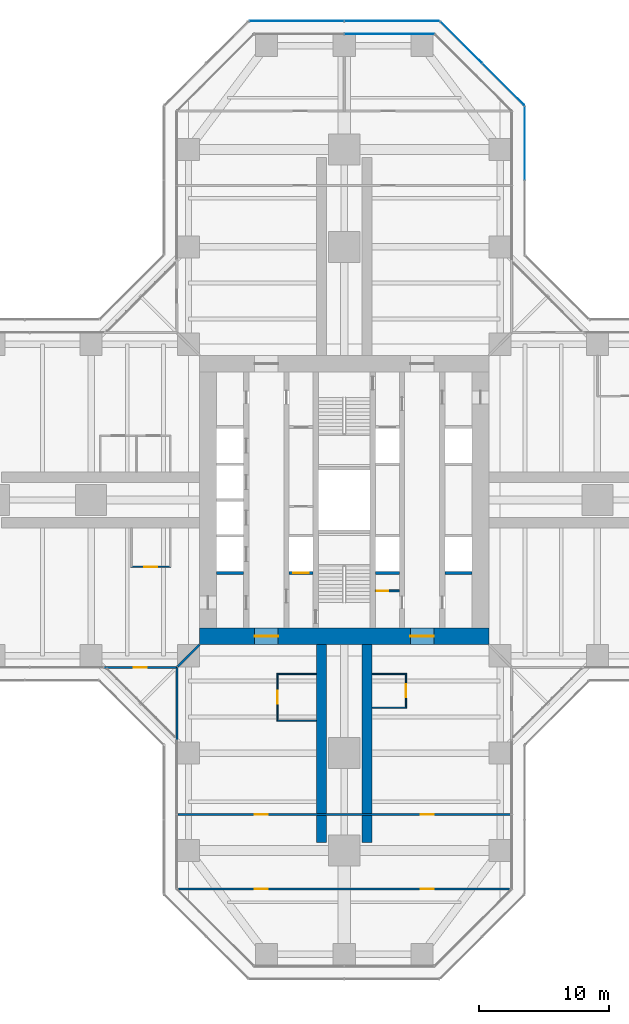
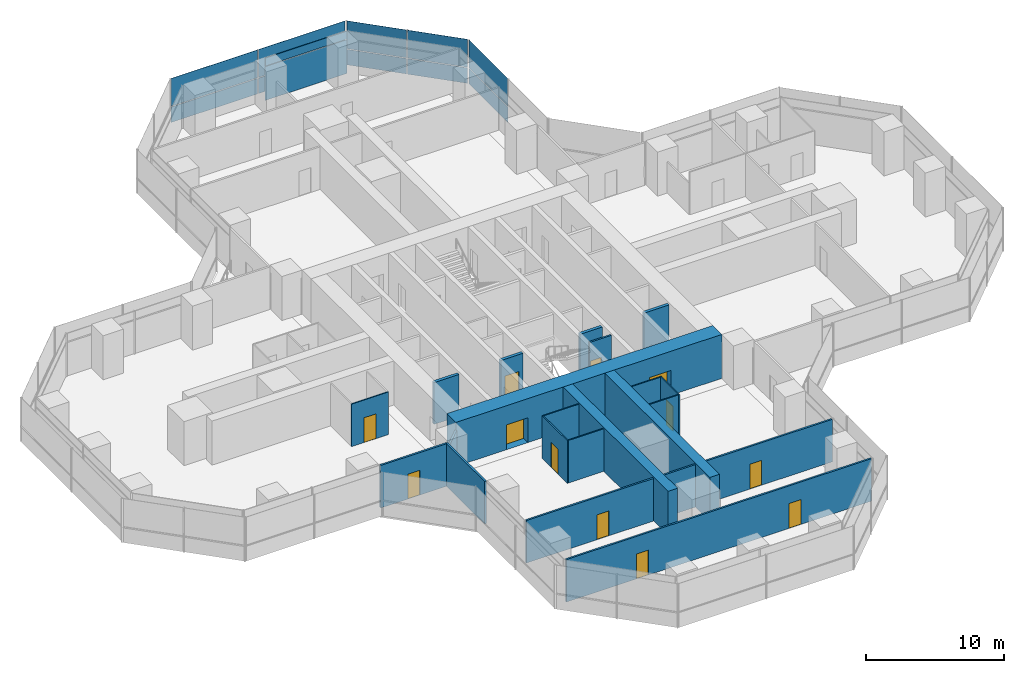
# One storey, part 17 of 22: 20 walls, 12 doors, 12 plates, 12 openings, 4 elements without a shape of their own.
"""IFC4 building model written with IfcOpenShell, lengths in metres."""

import ifcopenshell
import ifcopenshell.guid

model = None  # the IFC model being written
_history = None  # IfcOwnerHistory: only IFC2X3 demands one
_inside = {}  # id of a spatial element -> (the spatial element, [elements in it])
_under = {}  # id of a project, library or spatial element -> (it, [spatial elements below it])
_declared = {}  # id of a project -> (the project, [libraries it declares])
_typed = {}  # id of a type object -> (the type object, [elements of that type])
_made_of = {}  # id of a material, layer set ... -> (it, [elements and type objects made of it])


def new_model(schema):
    """Start an empty IFC model of exactly this schema.

    Asked for "IFC4X3", IfcOpenShell would pick the latest addendum, in which some entities
    have other attributes; the version numbers below select the first issue.
    IFC2X3 requires an IfcOwnerHistory on every rooted entity: one is made here for all.
    """
    global model, _history
    if schema == "IFC4X3":
        model = ifcopenshell.file(schema_version=(4, 3, 0, 0))
    else:
        model = ifcopenshell.file(schema=schema)
    _inside.clear()
    _under.clear()
    _declared.clear()
    _typed.clear()
    _made_of.clear()
    _history = None
    if model.schema == "IFC2X3":
        org = make("IfcOrganization", Name="unknown")
        user = make(
            "IfcPersonAndOrganization",
            ThePerson=make("IfcPerson", FamilyName="unknown"),
            TheOrganization=org,
        )
        app = make(
            "IfcApplication",
            ApplicationDeveloper=org,
            Version="unknown",
            ApplicationFullName="unknown",
            ApplicationIdentifier="unknown",
        )
        _history = make(
            "IfcOwnerHistory",
            OwningUser=user,
            OwningApplication=app,
            ChangeAction="ADDED",
            CreationDate=0,
        )
    return model


def make(cls, **values):
    """One entity of the class cls with the attributes given. An attribute that is None is left unset."""
    return model.create_entity(
        cls, **{name: value for name, value in values.items() if value is not None}
    )


def rooted(cls, **values):
    """An entity with a GlobalId (a new one), such as an element, a storey or a relation."""
    return make(cls, GlobalId=ifcopenshell.guid.new(), OwnerHistory=_history, **values)


def si_unit(unit_type, name, prefix=None):
    """IfcSIUnit, for example si_unit("LENGTHUNIT", "METRE", prefix="MILLI")."""
    return make("IfcSIUnit", UnitType=unit_type, Prefix=prefix, Name=name)


def assignment(units):
    """IfcUnitAssignment: the units of a project."""
    return None if units is None else make("IfcUnitAssignment", Units=units)


def point(xyz):
    """IfcCartesianPoint."""
    return None if xyz is None else make("IfcCartesianPoint", Coordinates=xyz)


def direction(xyz):
    """IfcDirection."""
    return None if xyz is None else make("IfcDirection", DirectionRatios=xyz)


def frame(location, z_axis=None, x_axis=None):
    """IfcAxis2Placement3D, a coordinate frame: its origin and axes. An axis left out is left unset."""
    return make(
        "IfcAxis2Placement3D",
        Location=point(location),
        Axis=direction(z_axis),
        RefDirection=direction(x_axis),
    )


def frame_2d(location, x_axis=None):
    """IfcAxis2Placement2D, a coordinate frame in the plane: its origin and x axis."""
    return make(
        "IfcAxis2Placement2D", Location=point(location), RefDirection=direction(x_axis)
    )


def origin():
    """The frame at (0, 0, 0) with its axes left unset."""
    return frame((0.0, 0.0, 0.0))


def origin_2d():
    """The frame at (0, 0) in the plane with its x axis left unset."""
    return frame_2d((0.0, 0.0))


def place(relative_to, where):
    """IfcLocalPlacement: puts the frame where relative to a parent placement (None: the world)."""
    return make(
        "IfcLocalPlacement", PlacementRelTo=relative_to, RelativePlacement=where
    )


def context(
    kind, dimensions, precision=None, world=None, true_north=None, identifier=None
):
    """IfcGeometricRepresentationContext, for example the 3D "Model" context."""
    return make(
        "IfcGeometricRepresentationContext",
        ContextIdentifier=identifier,
        ContextType=kind,
        CoordinateSpaceDimension=dimensions,
        Precision=precision,
        WorldCoordinateSystem=world,
        TrueNorth=true_north,
    )


def subcontext(parent, identifier, kind, view, scale=None):
    """IfcGeometricRepresentationSubContext, for example "Body" below "Model"."""
    return make(
        "IfcGeometricRepresentationSubContext",
        ContextIdentifier=identifier,
        ContextType=kind,
        ParentContext=parent,
        TargetScale=scale,
        TargetView=view,
    )


def project(units=None, contexts=None):
    """IfcProject with its units and contexts."""
    return rooted(
        "IfcProject",
        Name="project",
        RepresentationContexts=contexts,
        UnitsInContext=assignment(units),
    )


def spatial(cls, under=None, at=None, **own):
    """A site, building, storey or space (cls), placed at a placement, below another one or the project."""
    s = rooted(cls, ObjectPlacement=at, **own)
    if under is not None:
        _under.setdefault(under.id(), (under, []))[1].append(s)
    return s


def profile(cls, at=None, kind="AREA", **sizes):
    """A parametric profile (cls). Its sizes go by their IFC names, for example OverallWidth=200.0."""
    return make(cls, ProfileType=kind, Position=at, **sizes)


def rectangle(**sizes):
    """IfcRectangleProfileDef."""
    return profile("IfcRectangleProfileDef", **sizes)


def extrude(swept, where, along, depth):
    """IfcExtrudedAreaSolid: the profile swept, set in the frame where, extruded along a direction by depth."""
    return make(
        "IfcExtrudedAreaSolid",
        SweptArea=swept,
        Position=where,
        ExtrudedDirection=direction(along),
        Depth=depth,
    )


def shape(context_of_items, identifier, shape_type, items):
    """IfcShapeRepresentation: the items that make up one representation, for example the "Body"."""
    return make(
        "IfcShapeRepresentation",
        ContextOfItems=context_of_items,
        RepresentationIdentifier=identifier,
        RepresentationType=shape_type,
        Items=items,
    )


def material(Name=None, Category=None):
    """IfcMaterial."""
    return make("IfcMaterial", Name=Name, Category=Category)


def layer(
    of_material, thickness, ventilated=None, Name=None, Category=None, Priority=None
):
    """IfcMaterialLayer: one layer of a wall or slab, of a material (None: an air gap)."""
    return make(
        "IfcMaterialLayer",
        Material=of_material,
        LayerThickness=thickness,
        IsVentilated=ventilated,
        Name=Name,
        Category=Category,
        Priority=Priority,
    )


def layer_set(layers, Name=None):
    """IfcMaterialLayerSet."""
    return make("IfcMaterialLayerSet", MaterialLayers=layers, LayerSetName=Name)


def made_of(thing, what):
    """Note that an element or type object is made of a material, layer set ...; save() writes the relation."""
    if what is not None:
        _made_of.setdefault(what.id(), (what, []))[1].append(thing)
    return thing


def type_object(cls, material=None, **own):
    """A type object (cls), such as IfcWallType, which elements share."""
    return made_of(rooted(cls, **own), material)


def element(
    cls,
    number,
    at=None,
    inside=None,
    cuts=None,
    type_object=None,
    material=None,
    context=None,
    identifier="Body",
    shape_type=None,
    held_by="IfcProductDefinitionShape",
    body=None,
    shapes=None,
    **own,
):
    """One element of the class cls, such as IfcWall. Its Tag is "e" and its number.

    at: its placement. inside: the storey or other place that contains it. cuts: it is an
    opening in that element (IfcRelVoidsElement). A single representation is given by context,
    identifier, shape_type and body (its items); several are given by shapes. held_by: the class
    of the entity that holds the representations. save() writes the other relations.
    """
    e = rooted(cls, Tag="e%d" % number, ObjectPlacement=at, **own)
    if body is not None:
        shapes = [shape(context, identifier, shape_type, body)]
    if shapes is not None:
        e.Representation = make(held_by, Representations=shapes)
    if inside is not None:
        _inside.setdefault(inside.id(), (inside, []))[1].append(e)
    if cuts is not None:
        rooted(
            "IfcRelVoidsElement", RelatingBuildingElement=cuts, RelatedOpeningElement=e
        )
    if type_object is not None:
        _typed.setdefault(type_object.id(), (type_object, []))[1].append(e)
    return made_of(e, material)


def fill(opening, filler):
    """IfcRelFillsElement: the door or window that sits in an opening."""
    return rooted(
        "IfcRelFillsElement",
        RelatingOpeningElement=opening,
        RelatedBuildingElement=filler,
    )


def aggregate(whole, parts):
    """IfcRelAggregates: a whole, such as a stair, and the parts it consists of."""
    return rooted("IfcRelAggregates", RelatingObject=whole, RelatedObjects=parts)


def save(model, path):
    """Write the relations noted so far, then the file.

    IfcRelAggregates (storeys below a building ...), IfcRelContainedInSpatialStructure (elements
    in a storey), IfcRelDefinesByType, IfcRelAssociatesMaterial and IfcRelDeclares: one each for
    every whole, place, type object, material and project.
    """
    for whole, parts in _under.values():
        aggregate(whole, parts)
    for where, things in _inside.values():
        rooted(
            "IfcRelContainedInSpatialStructure",
            RelatedElements=things,
            RelatingStructure=where,
        )
    for kind, things in _typed.values():
        rooted("IfcRelDefinesByType", RelatedObjects=things, RelatingType=kind)
    for what, things in _made_of.values():
        rooted("IfcRelAssociatesMaterial", RelatedObjects=things, RelatingMaterial=what)
    for by, libraries in _declared.values():
        rooted("IfcRelDeclares", RelatingContext=by, RelatedDefinitions=libraries)
    model.write(path)


model = new_model("IFC4")

# Units and contexts
model_context = context("Model", 3, precision=1e-05, world=origin(), true_north=direction((0.0, 1.0)))
body_context = subcontext(model_context, "Body", "Model", "MODEL_VIEW")
ifc_project = project(units=[si_unit("LENGTHUNIT", "METRE"), si_unit("AREAUNIT", "SQUARE_METRE"), si_unit("VOLUMEUNIT", "CUBIC_METRE"), si_unit("PLANEANGLEUNIT", "RADIAN"), si_unit("MASSUNIT", "GRAM", prefix="KILO")], contexts=[model_context])

# Site, building, storey
site_placement = place(None, origin())
site = spatial("IfcSite", under=ifc_project, at=site_placement, CompositionType="ELEMENT")
building_placement = place(site_placement, origin())
building = spatial("IfcBuilding", under=site, at=building_placement, Name="Mizan Broadcast Tower", CompositionType="ELEMENT")
storey_placement = place(building_placement, frame((0.0, 0.0, 98.10009765625)))
storey = spatial("IfcBuildingStorey", under=building, at=storey_placement, Name="L21", CompositionType="ELEMENT", Elevation=98.10009765625)

# Curtain wall, plates
ifc_material_1 = material(Name="Aluminium framed glazing", Category="aluminium")
curtain_wall_type_1 = type_object("IfcCurtainWallType", Name="INNER SKIN LOW ZONE", PredefinedType="USERDEFINED", material=ifc_material_1)
curtain_wall_1_placement = place(storey_placement, origin())
curtain_wall_1 = element("IfcCurtainWall", 1, at=curtain_wall_1_placement, inside=storey, type_object=curtain_wall_type_1, Name="Inner skin low zone L21 N end", ObjectType="INNER SKIN LOW ZONE", PredefinedType="USERDEFINED")
ifc_material_2 = material(Name="Double glazing, clear low-e", Category="glass")
ifc_layer_1 = layer(ifc_material_2, 0.028076171875)
ifc_layer_set_1 = layer_set([ifc_layer_1], Name="Double glazing, clear low-e")
plate_type_1 = type_object("IfcPlateType", Name="INNER SKIN GLAZING UNIT", PredefinedType="CURTAIN_PANEL", material=ifc_layer_set_1)
plate_1_placement = place(storey_placement, frame((3.46435546875, 35.89990234375, 0.0), z_axis=(0.0, 0.0, 1.0), x_axis=(-1.0, 0.0, 0.0)))
plate_1 = element("IfcPlate", 2, at=plate_1_placement, type_object=plate_type_1, Name="Inner skin low zone L21 N end panel 1.1", PredefinedType="CURTAIN_PANEL", context=body_context, shape_type="SweptSolid", body=[
    extrude(rectangle(XDim=6.86865234375, YDim=0.028076171875, at=origin_2d()), origin(), (0.0, 0.0, 1.0), 3.0),
])
ifc_material_3 = material(Name="Insulated aluminium spandrel panel, pale anodised", Category="aluminium")
ifc_layer_2 = layer(ifc_material_3, 0.050048828125)
ifc_layer_set_2 = layer_set([ifc_layer_2], Name="Insulated aluminium spandrel panel, pale anodised")
plate_type_2 = type_object("IfcPlateType", Name="INNER SKIN SPANDREL PANEL", PredefinedType="CURTAIN_PANEL", material=ifc_layer_set_2)
plate_2_placement = place(storey_placement, frame((3.46435546875, 35.89990234375, 3.059814453125), z_axis=(0.0, 0.0, 1.0), x_axis=(-1.0, 0.0, 0.0)))
plate_2 = element("IfcPlate", 3, at=plate_2_placement, type_object=plate_type_2, Name="Inner skin low zone L21 N end panel 1.2", PredefinedType="CURTAIN_PANEL", context=body_context, shape_type="SweptSolid", body=[
    extrude(rectangle(XDim=6.86865234375, YDim=0.050048828125, at=origin_2d()), origin(), (0.0, 0.0, 1.0), 0.7099609375),
])
aggregate(curtain_wall_1, [plate_1, plate_2])

ifc_material_4 = material(Name="Aluminium framed glazing", Category="aluminium")
curtain_wall_type_2 = type_object("IfcCurtainWallType", Name="OUTER SKIN", PredefinedType="USERDEFINED", material=ifc_material_4)
curtain_wall_2_placement = place(storey_placement, origin())
curtain_wall_2 = element("IfcCurtainWall", 4, at=curtain_wall_2_placement, inside=storey, type_object=curtain_wall_type_2, Name="Outer skin L21 N chamfer", ObjectType="OUTER SKIN", PredefinedType="USERDEFINED")
ifc_material_5 = material(Name="Laminated clear glass", Category="glass")
ifc_layer_3 = layer(ifc_material_5, 0.02001953125)
ifc_layer_set_3 = layer_set([ifc_layer_3], Name="Laminated clear glass")
plate_type_3 = type_object("IfcPlateType", Name="OUTER SKIN CLEAR GLASS", PredefinedType="CURTAIN_PANEL", material=ifc_layer_set_3)
plate_3_placement = place(storey_placement, frame((12.254150390625, 32.018798828125, -0.000244140625), z_axis=(0.0, 0.0, 1.0), x_axis=(-0.707106781187, 0.707106781187, 0.0)))
plate_3 = element("IfcPlate", 5, at=plate_3_placement, type_object=plate_type_3, Name="Outer skin L21 N chamfer panel 1.1", PredefinedType="CURTAIN_PANEL", context=body_context, shape_type="SweptSolid", body=[
    extrude(rectangle(XDim=4.495361328125, YDim=0.02001953125, at=origin_2d()), origin(), (0.0, 0.0, 1.0), 1.3701171875),
])
plate_4_placement = place(storey_placement, frame((12.254150390625, 32.018798828125, 1.4296875), z_axis=(0.0, 0.0, 1.0), x_axis=(-0.707106781187, 0.707106781187, 0.0)))
plate_4 = element("IfcPlate", 6, at=plate_4_placement, type_object=plate_type_3, Name="Outer skin L21 N chamfer panel 1.2", PredefinedType="CURTAIN_PANEL", context=body_context, shape_type="SweptSolid", body=[
    extrude(rectangle(XDim=4.495361328125, YDim=0.02001953125, at=origin_2d()), origin(), (0.0, 0.0, 1.0), 2.469970703125),
])

curtain_wall_3_placement = place(storey_placement, origin())
curtain_wall_3 = element("IfcCurtainWall", 7, at=curtain_wall_3_placement, inside=storey, type_object=curtain_wall_type_2, Name="Outer skin L21 N end", ObjectType="OUTER SKIN", PredefinedType="USERDEFINED")
plate_5_placement = place(storey_placement, frame((3.66650390625, 36.89990234375, -0.000244140625), z_axis=(0.0, 0.0, 1.0), x_axis=(-1.0, 0.0, 0.0)))
plate_5 = element("IfcPlate", 8, at=plate_5_placement, type_object=plate_type_3, Name="Outer skin L21 N end panel 1.1", PredefinedType="CURTAIN_PANEL", context=body_context, shape_type="SweptSolid", body=[
    extrude(rectangle(XDim=7.252685546875, YDim=0.02001953125, at=origin_2d()), origin(), (0.0, 0.0, 1.0), 1.3701171875),
])
plate_6_placement = place(storey_placement, frame((3.66650390625, 36.89990234375, 1.4296875), z_axis=(0.0, 0.0, 1.0), x_axis=(-1.0, 0.0, 0.0)))
plate_6 = element("IfcPlate", 9, at=plate_6_placement, type_object=plate_type_3, Name="Outer skin L21 N end panel 1.2", PredefinedType="CURTAIN_PANEL", context=body_context, shape_type="SweptSolid", body=[
    extrude(rectangle(XDim=7.252685546875, YDim=0.02001953125, at=origin_2d()), origin(), (0.0, 0.0, 1.0), 2.469970703125),
])
plate_7_placement = place(storey_placement, frame((-3.66650390625, 36.89990234375, -0.000244140625), z_axis=(0.0, 0.0, 1.0), x_axis=(-1.0, 0.0, 0.0)))
plate_7 = element("IfcPlate", 10, at=plate_7_placement, type_object=plate_type_3, Name="Outer skin L21 N end panel 2.1", PredefinedType="CURTAIN_PANEL", context=body_context, shape_type="SweptSolid", body=[
    extrude(rectangle(XDim=7.252685546875, YDim=0.02001953125, at=origin_2d()), origin(), (0.0, 0.0, 1.0), 1.3701171875),
])
plate_8_placement = place(storey_placement, frame((-3.66650390625, 36.89990234375, 1.4296875), z_axis=(0.0, 0.0, 1.0), x_axis=(-1.0, 0.0, 0.0)))
plate_8 = element("IfcPlate", 11, at=plate_8_placement, type_object=plate_type_3, Name="Outer skin L21 N end panel 2.2", PredefinedType="CURTAIN_PANEL", context=body_context, shape_type="SweptSolid", body=[
    extrude(rectangle(XDim=7.252685546875, YDim=0.02001953125, at=origin_2d()), origin(), (0.0, 0.0, 1.0), 2.469970703125),
])
aggregate(curtain_wall_3, [plate_5, plate_6, plate_7, plate_8])

curtain_wall_4_placement = place(storey_placement, origin())
curtain_wall_4 = element("IfcCurtainWall", 12, at=curtain_wall_4_placement, inside=storey, type_object=curtain_wall_type_2, Name="Outer skin L21 N side", ObjectType="OUTER SKIN", PredefinedType="USERDEFINED")
ifc_material_6 = material(Name="Perforated aluminium, pale anodised", Category="aluminium")
ifc_layer_4 = layer(ifc_material_6, 0.011962890625)
ifc_layer_set_4 = layer_set([ifc_layer_4], Name="Perforated aluminium, pale anodised")
plate_type_4 = type_object("IfcPlateType", Name="OUTER SKIN PERFORATED SCREEN", PredefinedType="USERDEFINED", material=ifc_layer_set_4)
plate_9_placement = place(storey_placement, frame((13.89990234375, 27.477783203125, -0.000244140625), z_axis=(0.0, 0.0, 1.0), x_axis=(0.0, 1.0, 0.0)))
plate_9 = element("IfcPlate", 13, at=plate_9_placement, type_object=plate_type_4, Name="Outer skin L21 N side panel 2.1", ObjectType="SCREEN", PredefinedType="USERDEFINED", context=body_context, shape_type="SweptSolid", body=[
    extrude(rectangle(XDim=5.6298828125, YDim=0.011962890625, at=origin_2d()), origin(), (0.0, 0.0, 1.0), 1.3701171875),
])
plate_10_placement = place(storey_placement, frame((13.89990234375, 27.477783203125, 1.4296875), z_axis=(0.0, 0.0, 1.0), x_axis=(0.0, 1.0, 0.0)))
plate_10 = element("IfcPlate", 14, at=plate_10_placement, type_object=plate_type_4, Name="Outer skin L21 N side panel 2.2", ObjectType="SCREEN", PredefinedType="USERDEFINED", context=body_context, shape_type="SweptSolid", body=[
    extrude(rectangle(XDim=5.6298828125, YDim=0.011962890625, at=origin_2d()), origin(), (0.0, 0.0, 1.0), 2.469970703125),
])
aggregate(curtain_wall_4, [plate_9, plate_10])

# Plate
plate_11_placement = place(storey_placement, frame((9.018798828125, 35.254150390625, -0.000244140625), z_axis=(0.0, 0.0, 1.0), x_axis=(-0.707106781187, 0.707106781187, 0.0)))
plate_11 = element("IfcPlate", 15, at=plate_11_placement, type_object=plate_type_4, Name="Outer skin L21 N chamfer panel 2.1", ObjectType="SCREEN", PredefinedType="USERDEFINED", context=body_context, shape_type="SweptSolid", body=[
    extrude(rectangle(XDim=4.495361328125, YDim=0.011962890625, at=origin_2d()), origin(), (0.0, 0.0, 1.0), 1.3701171875),
])

plate_12_placement = place(storey_placement, frame((9.018798828125, 35.254150390625, 1.4296875), z_axis=(0.0, 0.0, 1.0), x_axis=(-0.707106781187, 0.707106781187, 0.0)))
plate_12 = element("IfcPlate", 16, at=plate_12_placement, type_object=plate_type_4, Name="Outer skin L21 N chamfer panel 2.2", ObjectType="SCREEN", PredefinedType="USERDEFINED", context=body_context, shape_type="SweptSolid", body=[
    extrude(rectangle(XDim=4.495361328125, YDim=0.011962890625, at=origin_2d()), origin(), (0.0, 0.0, 1.0), 2.469970703125),
])

aggregate(curtain_wall_2, [plate_3, plate_4, plate_11, plate_12])

# Wall, opening, door
ifc_material_7 = material(Name="Concrete blockwork", Category="masonry")
ifc_layer_5 = layer(ifc_material_7, 0.14990234375)
ifc_layer_set_5 = layer_set([ifc_layer_5], Name="Concrete blockwork")
wall_type_1 = type_object("IfcWallType", Name="CORE PARTITION 150", PredefinedType="SOLIDWALL", material=ifc_layer_set_5)
wall_1_placement = place(storey_placement, frame((2.39990234375, -7.0, 0.0), z_axis=(0.0, 0.0, 1.0), x_axis=(1.0, 0.0, 0.0)))
wall_1 = element("IfcWall", 17, at=wall_1_placement, inside=storey, type_object=wall_type_1, Name="Core partition CORE/XPC", PredefinedType="SOLIDWALL", context=body_context, shape_type="SweptSolid", body=[
    extrude(rectangle(XDim=1.85009765625, YDim=0.14990234375, at=frame_2d((0.925048828125, 0.0))), origin(), (0.0, 0.0, 1.0), 3.77001953125),
])
opening_1_placement = place(wall_1_placement, frame((0.10009765625, 0.0, 0.0)))
opening_1 = element("IfcOpeningElement", 18, at=opening_1_placement, cuts=wall_1, Name="Opening D09F", PredefinedType="OPENING", context=body_context, shape_type="SweptSolid", body=[
    extrude(rectangle(XDim=0.89990234375, YDim=2.10009765625, at=frame_2d((0.449951171875, 1.050048828125))), frame((0.0, 0.0849609375, 0.0), z_axis=(0.0, -1.0, 0.0), x_axis=(1.0, 0.0, 0.0)), (0.0, 0.0, 1.0), 0.169921875),
])
ifc_material_8 = material(Name="Steel door leaf in steel frame", Category="steel")
door_type_1 = type_object("IfcDoorType", Name="CORE ROOM DOOR 900 FD90", OperationType="SINGLE_SWING_LEFT", PredefinedType="DOOR", material=ifc_material_8)
door_1_placement = place(opening_1_placement, origin())
door_1 = element("IfcDoor", 19, at=door_1_placement, inside=storey, type_object=door_type_1, Name="Waste store door", OperationType="SINGLE_SWING_LEFT", OverallHeight=2.10009765625, OverallWidth=0.89990234375, PredefinedType="DOOR", context=body_context, shape_type="SweptSolid", body=[
    extrude(rectangle(XDim=0.89990234375, YDim=2.10009765625, at=frame_2d((0.449951171875, 1.050048828125))), frame((0.0, 0.02490234375, 0.0), z_axis=(0.0, -1.0, 0.0), x_axis=(1.0, 0.0, 0.0)), (0.0, 0.0, 1.0), 0.050048828125),
])
fill(opening_1, door_1)

# Wall, openings, doors
ifc_material_9 = material(Name="Concrete C70/85", Category="concrete")
ifc_layer_6 = layer(ifc_material_9, 1.300048828125)
ifc_layer_set_6 = layer_set([ifc_layer_6], Name="Concrete C70/85")
wall_type_2 = type_object("IfcWallType", Name="CORE WALL 1300", PredefinedType="SHEAR", material=ifc_layer_set_6)
wall_2_placement = place(storey_placement, frame((11.14990234375, -10.5, 0.0), z_axis=(0.0, 0.0, 1.0), x_axis=(-1.0, 0.0, 0.0)))
wall_2 = element("IfcWall", 20, at=wall_2_placement, inside=storey, type_object=wall_type_2, Name="Core wall S L21", PredefinedType="SHEAR", context=body_context, shape_type="SweptSolid", body=[
    extrude(rectangle(XDim=22.2998046875, YDim=1.300048828125, at=frame_2d((11.14990234375, 0.0))), origin(), (0.0, 0.0, 1.0), 3.89990234375),
])
opening_2_placement = place(wall_2_placement, frame((16.25, 0.0, 0.0)))
opening_2 = element("IfcOpeningElement", 21, at=opening_2_placement, cuts=wall_2, Name="Opening D18F", PredefinedType="OPENING", context=body_context, shape_type="SweptSolid", body=[
    extrude(rectangle(XDim=1.800048828125, YDim=2.199951171875, at=frame_2d((0.89990234375, 1.10009765625))), frame((0.0, 0.659912109375, 0.0), z_axis=(0.0, -1.0, 0.0), x_axis=(1.0, 0.0, 0.0)), (0.0, 0.0, 1.0), 1.320068359375),
])
opening_3_placement = place(wall_2_placement, frame((4.25, 0.0, 0.0)))
opening_3 = element("IfcOpeningElement", 22, at=opening_3_placement, cuts=wall_2, Name="Opening D18F", PredefinedType="OPENING", context=body_context, shape_type="SweptSolid", body=[
    extrude(rectangle(XDim=1.800048828125, YDim=2.199951171875, at=frame_2d((0.89990234375, 1.10009765625))), frame((0.0, 0.659912109375, 0.0), z_axis=(0.0, -1.0, 0.0), x_axis=(1.0, 0.0, 0.0)), (0.0, 0.0, 1.0), 1.320068359375),
])
ifc_material_10 = material(Name="Steel door leaf in steel frame", Category="steel")
door_type_2 = type_object("IfcDoorType", Name="LOBBY DOUBLE DOOR 1800 FD90", OperationType="DOUBLE_DOOR_DOUBLE_SWING", PredefinedType="DOOR", material=ifc_material_10)
door_2_placement = place(opening_2_placement, origin())
door_2 = element("IfcDoor", 23, at=door_2_placement, inside=storey, type_object=door_type_2, Name="West lift lobby south door", OperationType="DOUBLE_DOOR_DOUBLE_SWING", OverallHeight=2.199951171875, OverallWidth=1.800048828125, PredefinedType="DOOR", context=body_context, shape_type="SweptSolid", body=[
    extrude(rectangle(XDim=1.800048828125, YDim=2.199951171875, at=frame_2d((0.89990234375, 1.10009765625))), frame((0.0, 0.02490234375, 0.0), z_axis=(0.0, -1.0, 0.0), x_axis=(1.0, 0.0, 0.0)), (0.0, 0.0, 1.0), 0.050048828125),
])
fill(opening_2, door_2)
door_3_placement = place(opening_3_placement, origin())
door_3 = element("IfcDoor", 24, at=door_3_placement, inside=storey, type_object=door_type_2, Name="East lift lobby south door", OperationType="DOUBLE_DOOR_DOUBLE_SWING", OverallHeight=2.199951171875, OverallWidth=1.800048828125, PredefinedType="DOOR", context=body_context, shape_type="SweptSolid", body=[
    extrude(rectangle(XDim=1.800048828125, YDim=2.199951171875, at=frame_2d((0.89990234375, 1.10009765625))), frame((0.0, 0.02490234375, 0.0), z_axis=(0.0, -1.0, 0.0), x_axis=(1.0, 0.0, 0.0)), (0.0, 0.0, 1.0), 0.050048828125),
])
fill(opening_3, door_3)

# Wall, opening, door
ifc_material_11 = material(Name="Aluminium framed glazed screen", Category="aluminium")
ifc_layer_7 = layer(ifc_material_11, 0.159912109375)
ifc_layer_set_7 = layer_set([ifc_layer_7], Name="Aluminium framed glazed screen")
wall_type_3 = type_object("IfcWallType", Name="GLAZED SCREEN WALL 160", PredefinedType="SOLIDWALL", material=ifc_layer_set_7)
wall_3_placement = place(storey_placement, frame((-18.5, -12.89990234375, 0.0), z_axis=(0.0, 0.0, 1.0), x_axis=(1.0, 0.0, 0.0)))
wall_3 = element("IfcWall", 25, at=wall_3_placement, inside=storey, type_object=wall_type_3, Name="Winter garden screen L21 W", PredefinedType="SOLIDWALL", context=body_context, shape_type="SweptSolid", body=[
    extrude(rectangle(XDim=5.60009765625, YDim=0.159912109375, at=frame_2d((2.800048828125, 0.0))), origin(), (0.0, 0.0, 1.0), 3.77001953125),
])
opening_4_placement = place(wall_3_placement, frame((2.300048828125, 0.0, 0.0)))
opening_4 = element("IfcOpeningElement", 26, at=opening_4_placement, cuts=wall_3, Name="Opening WGD", PredefinedType="OPENING", context=body_context, shape_type="SweptSolid", body=[
    extrude(rectangle(XDim=1.0, YDim=2.199951171875, at=frame_2d((0.5, 1.10009765625))), frame((0.0, 0.08984375, 0.0), z_axis=(0.0, -1.0, 0.0), x_axis=(1.0, 0.0, 0.0)), (0.0, 0.0, 1.0), 0.179931640625),
])
ifc_material_12 = material(Name="Aluminium framed glazed door", Category="aluminium")
door_type_3 = type_object("IfcDoorType", Name="WINTER GARDEN DOOR 1000 GLAZED", OperationType="SINGLE_SWING_LEFT", PredefinedType="DOOR", material=ifc_material_12)
door_4_placement = place(opening_4_placement, origin())
door_4 = element("IfcDoor", 27, at=door_4_placement, inside=storey, type_object=door_type_3, Name="Winter garden door L21 W", OperationType="SINGLE_SWING_RIGHT", OverallHeight=2.199951171875, OverallWidth=1.0, PredefinedType="DOOR", context=body_context, shape_type="SweptSolid", body=[
    extrude(rectangle(XDim=1.0, YDim=2.199951171875, at=frame_2d((0.5, 1.10009765625))), frame((0.0, 0.02490234375, 0.0), z_axis=(0.0, -1.0, 0.0), x_axis=(1.0, 0.0, 0.0)), (0.0, 0.0, 1.0), 0.050048828125),
])
fill(opening_4, door_4)

# Walls
wall_4_placement = place(storey_placement, frame((-12.89990234375, -12.89990234375, 0.0), z_axis=(0.0, 0.0, 1.0), x_axis=(0.0, -1.0, 0.0)))
element("IfcWall", 28, at=wall_4_placement, inside=storey, type_object=wall_type_3, Name="Winter garden screen L21 S", PredefinedType="SOLIDWALL", context=body_context, shape_type="SweptSolid", body=[
    extrude(rectangle(XDim=5.60009765625, YDim=0.159912109375, at=frame_2d((2.800048828125, 0.0))), origin(), (0.0, 0.0, 1.0), 3.77001953125),
])
ifc_material_13 = material(Name="Concrete blockwork", Category="masonry")
ifc_layer_8 = layer(ifc_material_13, 0.25)
ifc_layer_set_8 = layer_set([ifc_layer_8], Name="Concrete blockwork")
wall_type_4 = type_object("IfcWallType", Name="LOBBY ENCLOSURE WALL 250", PredefinedType="SOLIDWALL", material=ifc_layer_set_8)
wall_5_placement = place(storey_placement, frame((-9.85009765625, -5.625, 0.0), z_axis=(0.0, 0.0, 1.0), x_axis=(1.0, 0.0, 0.0)))
element("IfcWall", 29, at=wall_5_placement, inside=storey, type_object=wall_type_4, Name="Lobby enclosure wall CORE/BW1S", PredefinedType="SOLIDWALL", context=body_context, shape_type="SweptSolid", body=[
    extrude(rectangle(XDim=2.10009765625, YDim=0.25, at=frame_2d((1.050048828125, 0.0))), origin(), (0.0, 0.0, 1.0), 3.699951171875),
])

# Wall, opening, door
wall_6_placement = place(storey_placement, frame((-4.25, -5.625, 0.0), z_axis=(0.0, 0.0, 1.0), x_axis=(1.0, 0.0, 0.0)))
wall_6 = element("IfcWall", 30, at=wall_6_placement, inside=storey, type_object=wall_type_4, Name="Lobby enclosure wall CORE/BW2S", PredefinedType="SOLIDWALL", context=body_context, shape_type="SweptSolid", body=[
    extrude(rectangle(XDim=1.85009765625, YDim=0.25, at=frame_2d((0.925048828125, 0.0))), origin(), (0.0, 0.0, 1.0), 3.699951171875),
])
opening_5_placement = place(wall_6_placement, frame((0.324951171875, 0.0, 0.0)))
opening_5 = element("IfcOpeningElement", 31, at=opening_5_placement, cuts=wall_6, Name="Opening LDF", PredefinedType="OPENING", context=body_context, shape_type="SweptSolid", body=[
    extrude(rectangle(XDim=1.199951171875, YDim=2.199951171875, at=frame_2d((0.60009765625, 1.10009765625))), frame((0.0, 0.135009765625, 0.0), z_axis=(0.0, -1.0, 0.0), x_axis=(1.0, 0.0, 0.0)), (0.0, 0.0, 1.0), 0.27001953125),
])
ifc_material_14 = material(Name="Steel door leaf in steel frame", Category="steel")
door_type_4 = type_object("IfcDoorType", Name="FIREFIGHTING LIFT LANDING DOOR 1200", OperationType="SLIDING_TO_LEFT", PredefinedType="DOOR", material=ifc_material_14)
door_5_placement = place(opening_5_placement, origin())
door_5 = element("IfcDoor", 32, at=door_5_placement, inside=storey, type_object=door_type_4, Name="Landing door FF1", OperationType="SLIDING_TO_LEFT", OverallHeight=2.199951171875, OverallWidth=1.199951171875, PredefinedType="DOOR", context=body_context, shape_type="SweptSolid", body=[
    extrude(rectangle(XDim=1.199951171875, YDim=2.199951171875, at=frame_2d((0.60009765625, 1.10009765625))), frame((0.0, 0.02490234375, 0.0), z_axis=(0.0, -1.0, 0.0), x_axis=(1.0, 0.0, 0.0)), (0.0, 0.0, 1.0), 0.050048828125),
])
fill(opening_5, door_5)

# Walls
wall_7_placement = place(storey_placement, frame((2.39990234375, -5.625, 0.0), z_axis=(0.0, 0.0, 1.0), x_axis=(1.0, 0.0, 0.0)))
element("IfcWall", 33, at=wall_7_placement, inside=storey, type_object=wall_type_4, Name="Lobby enclosure wall CORE/BE2S", PredefinedType="SOLIDWALL", context=body_context, shape_type="SweptSolid", body=[
    extrude(rectangle(XDim=1.85009765625, YDim=0.25, at=frame_2d((0.925048828125, 0.0))), origin(), (0.0, 0.0, 1.0), 3.699951171875),
])
wall_8_placement = place(storey_placement, frame((7.75, -5.625, 0.0), z_axis=(0.0, 0.0, 1.0), x_axis=(1.0, 0.0, 0.0)))
element("IfcWall", 34, at=wall_8_placement, inside=storey, type_object=wall_type_4, Name="Lobby enclosure wall CORE/BE1S", PredefinedType="SOLIDWALL", context=body_context, shape_type="SweptSolid", body=[
    extrude(rectangle(XDim=2.10009765625, YDim=0.25, at=frame_2d((1.050048828125, 0.0))), origin(), (0.0, 0.0, 1.0), 3.699951171875),
])

# Wall, openings, doors
ifc_material_15 = material(Name="Gypsum board on steel studs", Category="steel")
ifc_layer_9 = layer(ifc_material_15, 0.14990234375)
ifc_layer_set_9 = layer_set([ifc_layer_9], Name="Gypsum board on steel studs")
wall_type_5 = type_object("IfcWallType", Name="PARTITION 150", PredefinedType="PARTITIONING", material=ifc_layer_set_9)
wall_9_placement = place(storey_placement, frame((-12.820068359375, -24.22900390625, 0.0), z_axis=(0.0, 0.0, 1.0), x_axis=(1.0, 0.0, 0.0)))
wall_9 = element("IfcWall", 35, at=wall_9_placement, inside=storey, type_object=wall_type_5, Name="Partition PT/SX1", PredefinedType="PARTITIONING", context=body_context, shape_type="SweptSolid", body=[
    extrude(rectangle(XDim=25.64013671875, YDim=0.14990234375, at=frame_2d((12.820068359375, 0.0))), origin(), (0.0, 0.0, 1.0), 3.77001953125),
])
opening_6_placement = place(wall_9_placement, frame((18.719970703125, 0.0, 0.0)))
opening_6 = element("IfcOpeningElement", 36, at=opening_6_placement, cuts=wall_9, Name="Opening D10", PredefinedType="OPENING", context=body_context, shape_type="SweptSolid", body=[
    extrude(rectangle(XDim=1.0, YDim=2.199951171875, at=frame_2d((0.5, 1.10009765625))), frame((0.0, 0.0849609375, 0.0), z_axis=(0.0, -1.0, 0.0), x_axis=(1.0, 0.0, 0.0)), (0.0, 0.0, 1.0), 0.169921875),
])
opening_7_placement = place(wall_9_placement, frame((5.919921875, 0.0, 0.0)))
opening_7 = element("IfcOpeningElement", 37, at=opening_7_placement, cuts=wall_9, Name="Opening D10", PredefinedType="OPENING", context=body_context, shape_type="SweptSolid", body=[
    extrude(rectangle(XDim=1.0, YDim=2.199951171875, at=frame_2d((0.5, 1.10009765625))), frame((0.0, 0.0849609375, 0.0), z_axis=(0.0, -1.0, 0.0), x_axis=(1.0, 0.0, 0.0)), (0.0, 0.0, 1.0), 0.169921875),
])
ifc_material_16 = material(Name="Timber door leaf in aluminium frame", Category="wood")
door_type_5 = type_object("IfcDoorType", Name="ROOM DOOR 1000", OperationType="SINGLE_SWING_LEFT", PredefinedType="DOOR", material=ifc_material_16)
door_6_placement = place(opening_6_placement, origin())
door_6 = element("IfcDoor", 38, at=door_6_placement, inside=storey, type_object=door_type_5, Name="Client meeting room door", OperationType="SINGLE_SWING_RIGHT", OverallHeight=2.199951171875, OverallWidth=1.0, PredefinedType="DOOR", context=body_context, shape_type="SweptSolid", body=[
    extrude(rectangle(XDim=1.0, YDim=2.199951171875, at=frame_2d((0.5, 1.10009765625))), frame((0.0, 0.02490234375, 0.0), z_axis=(0.0, -1.0, 0.0), x_axis=(1.0, 0.0, 0.0)), (0.0, 0.0, 1.0), 0.050048828125),
])
fill(opening_6, door_6)
door_7_placement = place(opening_7_placement, origin())
door_7 = element("IfcDoor", 39, at=door_7_placement, inside=storey, type_object=door_type_5, Name="Client meeting room door", OperationType="SINGLE_SWING_LEFT", OverallHeight=2.199951171875, OverallWidth=1.0, PredefinedType="DOOR", context=body_context, shape_type="SweptSolid", body=[
    extrude(rectangle(XDim=1.0, YDim=2.199951171875, at=frame_2d((0.5, 1.10009765625))), frame((0.0, 0.02490234375, 0.0), z_axis=(0.0, -1.0, 0.0), x_axis=(1.0, 0.0, 0.0)), (0.0, 0.0, 1.0), 0.050048828125),
])
fill(opening_7, door_7)

wall_10_placement = place(storey_placement, frame((-12.786376953125, -29.958984375, 0.0), z_axis=(0.0, 0.0, 1.0), x_axis=(1.0, 0.0, 0.0)))
wall_10 = element("IfcWall", 40, at=wall_10_placement, inside=storey, type_object=wall_type_5, Name="Partition PT/SX2", PredefinedType="PARTITIONING", context=body_context, shape_type="SweptSolid", body=[
    extrude(rectangle(XDim=25.57275390625, YDim=0.14990234375, at=frame_2d((12.786376953125, 0.0))), origin(), (0.0, 0.0, 1.0), 3.77001953125),
])
opening_8_placement = place(wall_10_placement, frame((18.6865234375, 0.0, 0.0)))
opening_8 = element("IfcOpeningElement", 41, at=opening_8_placement, cuts=wall_10, Name="Opening D10", PredefinedType="OPENING", context=body_context, shape_type="SweptSolid", body=[
    extrude(rectangle(XDim=1.0, YDim=2.199951171875, at=frame_2d((0.5, 1.10009765625))), frame((0.0, 0.0849609375, 0.0), z_axis=(0.0, -1.0, 0.0), x_axis=(1.0, 0.0, 0.0)), (0.0, 0.0, 1.0), 0.169921875),
])
opening_9_placement = place(wall_10_placement, frame((5.886474609375, 0.0, 0.0)))
opening_9 = element("IfcOpeningElement", 42, at=opening_9_placement, cuts=wall_10, Name="Opening D10", PredefinedType="OPENING", context=body_context, shape_type="SweptSolid", body=[
    extrude(rectangle(XDim=1.0, YDim=2.199951171875, at=frame_2d((0.5, 1.10009765625))), frame((0.0, 0.0849609375, 0.0), z_axis=(0.0, -1.0, 0.0), x_axis=(1.0, 0.0, 0.0)), (0.0, 0.0, 1.0), 0.169921875),
])
door_8_placement = place(opening_8_placement, origin())
door_8 = element("IfcDoor", 43, at=door_8_placement, inside=storey, type_object=door_type_5, Name="Client meeting room door", OperationType="SINGLE_SWING_RIGHT", OverallHeight=2.199951171875, OverallWidth=1.0, PredefinedType="DOOR", context=body_context, shape_type="SweptSolid", body=[
    extrude(rectangle(XDim=1.0, YDim=2.199951171875, at=frame_2d((0.5, 1.10009765625))), frame((0.0, 0.02490234375, 0.0), z_axis=(0.0, -1.0, 0.0), x_axis=(1.0, 0.0, 0.0)), (0.0, 0.0, 1.0), 0.050048828125),
])
fill(opening_8, door_8)
door_9_placement = place(opening_9_placement, origin())
door_9 = element("IfcDoor", 44, at=door_9_placement, inside=storey, type_object=door_type_5, Name="Client meeting room door", OperationType="SINGLE_SWING_LEFT", OverallHeight=2.199951171875, OverallWidth=1.0, PredefinedType="DOOR", context=body_context, shape_type="SweptSolid", body=[
    extrude(rectangle(XDim=1.0, YDim=2.199951171875, at=frame_2d((0.5, 1.10009765625))), frame((0.0, 0.02490234375, 0.0), z_axis=(0.0, -1.0, 0.0), x_axis=(1.0, 0.0, 0.0)), (0.0, 0.0, 1.0), 0.050048828125),
])
fill(opening_9, door_9)

# Wall
wall_11_placement = place(storey_placement, frame((-11.14990234375, -11.14990234375, 0.0), z_axis=(0.0, 0.0, 1.0), x_axis=(-0.707106781187, -0.707106781187, 0.0)))
element("IfcWall", 45, at=wall_11_placement, inside=storey, type_object=wall_type_5, Name="Partition PT/DGWS", PredefinedType="PARTITIONING", context=body_context, shape_type="SweptSolid", body=[
    extrude(rectangle(XDim=2.362060546875, YDim=0.14990234375, at=frame_2d((1.18115234375, 0.0))), origin(), (0.0, 0.0, 1.0), 3.219970703125),
])

# Wall, opening, door
ifc_material_17 = material(Name="Glazed aluminium partition on aluminium track", Category="aluminium")
ifc_layer_10 = layer(ifc_material_17, 0.10009765625)
ifc_layer_set_10 = layer_set([ifc_layer_10], Name="Glazed aluminium partition on aluminium track")
wall_type_6 = type_object("IfcWallType", Name="PARTITION GLAZED OFFICE FRONT 100", PredefinedType="PARTITIONING", material=ifc_layer_set_10)
wall_12_placement = place(storey_placement, frame((-13.35009765625, -5.14990234375, 0.0), z_axis=(0.0, 0.0, 1.0), x_axis=(-1.0, 0.0, 0.0)))
wall_12 = element("IfcWall", 46, at=wall_12_placement, inside=storey, type_object=wall_type_6, Name="Glazed office front PT/WKP0f", PredefinedType="PARTITIONING", context=body_context, shape_type="SweptSolid", body=[
    extrude(rectangle(XDim=3.099853515625, YDim=0.10009765625, at=frame_2d((1.5498046875, 0.0))), origin(), (0.0, 0.0, 1.0), 3.77001953125),
])
opening_10_placement = place(wall_12_placement, frame((1.050048828125, 0.0, 0.0)))
opening_10 = element("IfcOpeningElement", 47, at=opening_10_placement, cuts=wall_12, Name="Opening D10O", PredefinedType="OPENING", context=body_context, shape_type="SweptSolid", body=[
    extrude(rectangle(XDim=1.0, YDim=2.199951171875, at=frame_2d((0.5, 1.10009765625))), frame((0.0, 0.06005859375, 0.0), z_axis=(0.0, -1.0, 0.0), x_axis=(1.0, 0.0, 0.0)), (0.0, 0.0, 1.0), 0.1201171875),
])
ifc_material_18 = material(Name="Timber door leaf in aluminium frame", Category="wood")
door_type_6 = type_object("IfcDoorType", Name="OFFICE DOOR 1000 GLAZED", OperationType="SINGLE_SWING_LEFT", PredefinedType="DOOR", material=ifc_material_18)
door_10_placement = place(opening_10_placement, origin())
door_10 = element("IfcDoor", 48, at=door_10_placement, inside=storey, type_object=door_type_6, Name="Pantry door", OperationType="SINGLE_SWING_LEFT", OverallHeight=2.199951171875, OverallWidth=1.0, PredefinedType="DOOR", context=body_context, shape_type="SweptSolid", body=[
    extrude(rectangle(XDim=1.0, YDim=2.199951171875, at=frame_2d((0.5, 1.10009765625))), frame((0.0, 0.02490234375, 0.0), z_axis=(0.0, -1.0, 0.0), x_axis=(1.0, 0.0, 0.0)), (0.0, 0.0, 1.0), 0.050048828125),
])
fill(opening_10, door_10)

# Walls
for number, where, z_axis, x_axis, name in (
    (49, (2.14990234375, -13.39990234375, 0.0), (0.0, 0.0, 1.0), (1.0, 0.0, 0.0), "Glazed office front PT/SKP0a"),
    (50, (2.14990234375, -16.0, 0.0), (0.0, 0.0, 1.0), (1.0, 0.0, 0.0), "Glazed office front PT/SKP0b"),
):
    element("IfcWall", number, at=place(storey_placement, frame(where, z_axis=z_axis, x_axis=x_axis)), inside=storey, type_object=wall_type_6, Name=name, PredefinedType="PARTITIONING", context=body_context, shape_type="SweptSolid", body=[
        extrude(rectangle(XDim=2.60009765625, YDim=0.10009765625, at=frame_2d((1.300048828125, 0.0))), origin(), (0.0, 0.0, 1.0), 3.77001953125),
    ])

# Wall, opening, door
wall_13_placement = place(storey_placement, frame((4.75, -13.35009765625, 0.0), z_axis=(0.0, 0.0, 1.0), x_axis=(0.0, -1.0, 0.0)))
wall_13 = element("IfcWall", 51, at=wall_13_placement, inside=storey, type_object=wall_type_6, Name="Glazed office front PT/SKP0f", PredefinedType="PARTITIONING", context=body_context, shape_type="SweptSolid", body=[
    extrude(rectangle(XDim=2.699951171875, YDim=0.10009765625, at=frame_2d((1.35009765625, 0.0))), origin(), (0.0, 0.0, 1.0), 3.77001953125),
])
opening_11_placement = place(wall_13_placement, frame((0.85009765625, 0.0, 0.0)))
opening_11 = element("IfcOpeningElement", 52, at=opening_11_placement, cuts=wall_13, Name="Opening D10O", PredefinedType="OPENING", context=body_context, shape_type="SweptSolid", body=[
    extrude(rectangle(XDim=1.0, YDim=2.199951171875, at=frame_2d((0.5, 1.10009765625))), frame((0.0, 0.06005859375, 0.0), z_axis=(0.0, -1.0, 0.0), x_axis=(1.0, 0.0, 0.0)), (0.0, 0.0, 1.0), 0.1201171875),
])
door_11_placement = place(opening_11_placement, origin())
door_11 = element("IfcDoor", 53, at=door_11_placement, inside=storey, type_object=door_type_6, Name="Client cloakroom door", OperationType="SINGLE_SWING_LEFT", OverallHeight=2.199951171875, OverallWidth=1.0, PredefinedType="DOOR", context=body_context, shape_type="SweptSolid", body=[
    extrude(rectangle(XDim=1.0, YDim=2.199951171875, at=frame_2d((0.5, 1.10009765625))), frame((0.0, 0.02490234375, 0.0), z_axis=(0.0, -1.0, 0.0), x_axis=(1.0, 0.0, 0.0)), (0.0, 0.0, 1.0), 0.050048828125),
])
fill(opening_11, door_11)

# Walls
for number, where, z_axis, x_axis, name in (
    (54, (-2.14990234375, -13.39990234375, 0.0), (0.0, 0.0, 1.0), (-1.0, 0.0, 0.0), "Glazed office front PT/SKN0a"),
    (55, (-2.14990234375, -17.0, 0.0), (0.0, 0.0, 1.0), (-1.0, 0.0, 0.0), "Glazed office front PT/SKN0b"),
):
    element("IfcWall", number, at=place(storey_placement, frame(where, z_axis=z_axis, x_axis=x_axis)), inside=storey, type_object=wall_type_6, Name=name, PredefinedType="PARTITIONING", context=body_context, shape_type="SweptSolid", body=[
        extrude(rectangle(XDim=3.0, YDim=0.10009765625, at=frame_2d((1.5, 0.0))), origin(), (0.0, 0.0, 1.0), 3.77001953125),
    ])

# Wall, opening, door
wall_14_placement = place(storey_placement, frame((-5.14990234375, -13.35009765625, 0.0), z_axis=(0.0, 0.0, 1.0), x_axis=(0.0, -1.0, 0.0)))
wall_14 = element("IfcWall", 56, at=wall_14_placement, inside=storey, type_object=wall_type_6, Name="Glazed office front PT/SKN0f", PredefinedType="PARTITIONING", context=body_context, shape_type="SweptSolid", body=[
    extrude(rectangle(XDim=3.699951171875, YDim=0.10009765625, at=frame_2d((1.85009765625, 0.0))), origin(), (0.0, 0.0, 1.0), 3.77001953125),
])
opening_12_placement = place(wall_14_placement, frame((1.35009765625, 0.0, 0.0)))
opening_12 = element("IfcOpeningElement", 57, at=opening_12_placement, cuts=wall_14, Name="Opening D10O", PredefinedType="OPENING", context=body_context, shape_type="SweptSolid", body=[
    extrude(rectangle(XDim=1.0, YDim=2.199951171875, at=frame_2d((0.5, 1.10009765625))), frame((0.0, 0.06005859375, 0.0), z_axis=(0.0, -1.0, 0.0), x_axis=(1.0, 0.0, 0.0)), (0.0, 0.0, 1.0), 0.1201171875),
])
door_12_placement = place(opening_12_placement, origin())
door_12 = element("IfcDoor", 58, at=door_12_placement, inside=storey, type_object=door_type_6, Name="Client pantry door", OperationType="SINGLE_SWING_LEFT", OverallHeight=2.199951171875, OverallWidth=1.0, PredefinedType="DOOR", context=body_context, shape_type="SweptSolid", body=[
    extrude(rectangle(XDim=1.0, YDim=2.199951171875, at=frame_2d((0.5, 1.10009765625))), frame((0.0, 0.02490234375, 0.0), z_axis=(0.0, -1.0, 0.0), x_axis=(1.0, 0.0, 0.0)), (0.0, 0.0, 1.0), 0.050048828125),
])
fill(opening_12, door_12)

# Walls
ifc_material_19 = material(Name="Concrete C70/85", Category="concrete")
ifc_layer_11 = layer(ifc_material_19, 0.800048828125)
ifc_layer_set_11 = layer_set([ifc_layer_11], Name="Concrete C70/85")
wall_type_7 = type_object("IfcWallType", Name="SPINE WALL 800", PredefinedType="SHEAR", material=ifc_layer_set_11)
for number, where, z_axis, x_axis, name in (
    (59, (-1.75, -11.14990234375, 0.0), (0.0, 0.0, 1.0), (0.0, -1.0, 0.0), "Spine wall SR L21"),
    (60, (1.75, -11.14990234375, 0.0), (0.0, 0.0, 1.0), (0.0, -1.0, 0.0), "Spine wall SL L21"),
):
    element("IfcWall", number, at=place(storey_placement, frame(where, z_axis=z_axis, x_axis=x_axis)), inside=storey, type_object=wall_type_7, Name=name, PredefinedType="SHEAR", context=body_context, shape_type="SweptSolid", body=[
        extrude(rectangle(XDim=15.25, YDim=0.800048828125, at=frame_2d((7.625, 0.0))), origin(), (0.0, 0.0, 1.0), 3.89990234375),
    ])

save(model, "model.ifc")
